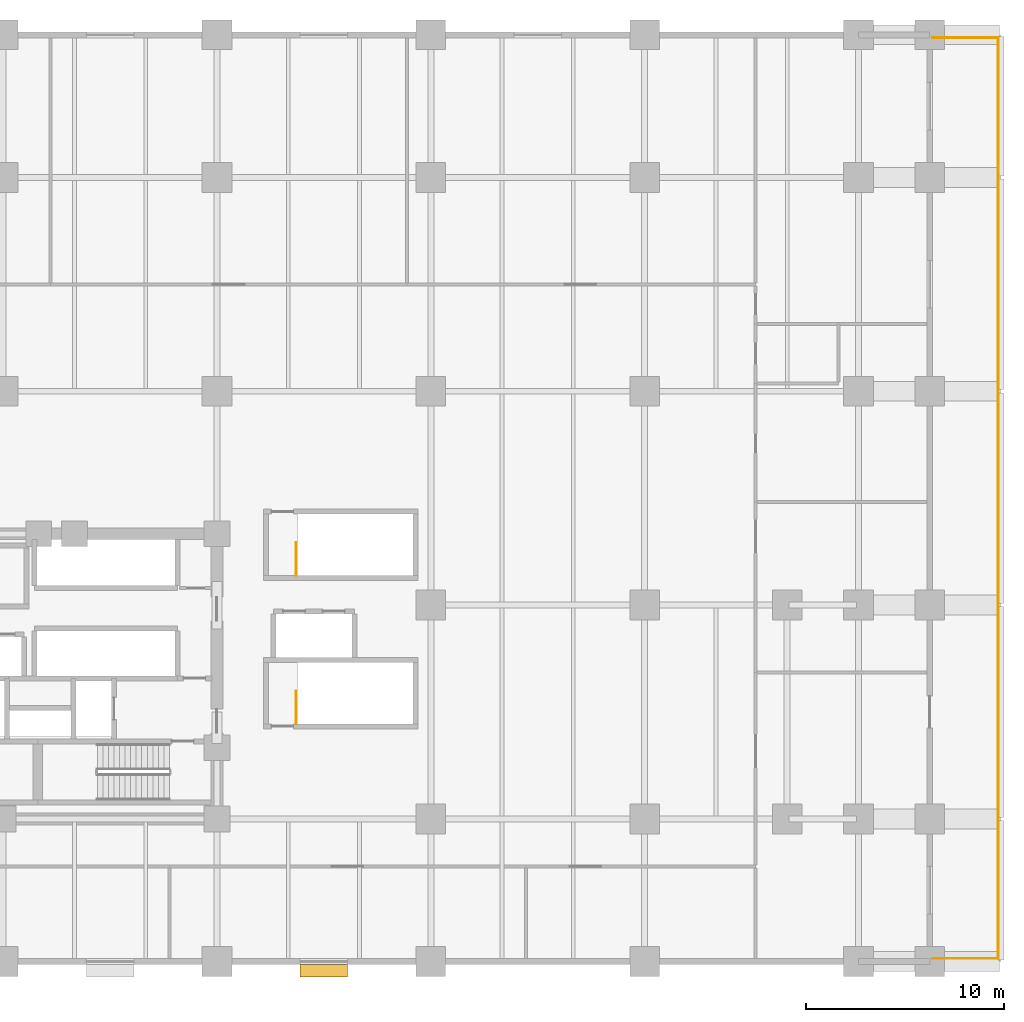
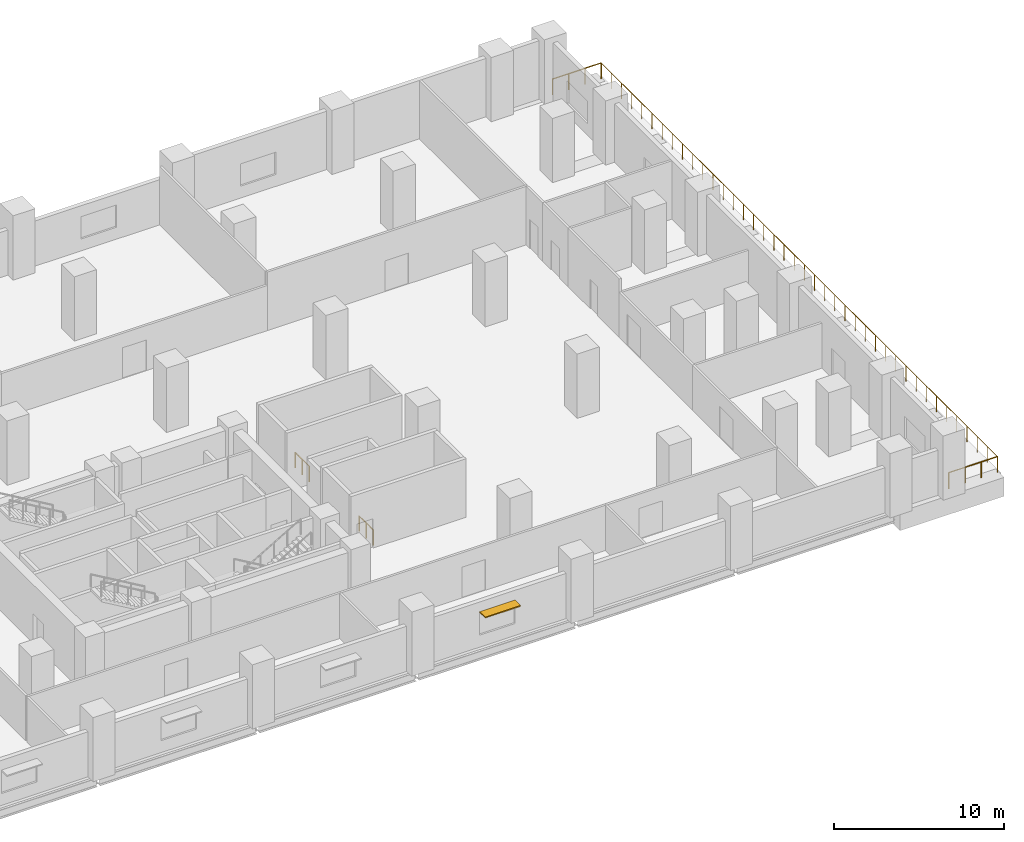
# One storey, part 8 of 8: 5 railings, 1 shading device.
"""IFC4 building model written with IfcOpenShell, lengths in metres."""

from ifc_helpers import new_model, si_unit, direction, frame, origin, origin_2d, place, context, subcontext, project, spatial, rectangle, circle, extrude, material, layer, layer_set, type_object, element, save


model = new_model("IFC4")

# Units and contexts
model_context = context("Model", 3, precision=1e-05, world=origin(), true_north=direction((0.0, 1.0)))
body_context = subcontext(model_context, "Body", "Model", "MODEL_VIEW")
ifc_project = project(units=[si_unit("LENGTHUNIT", "METRE"), si_unit("AREAUNIT", "SQUARE_METRE"), si_unit("VOLUMEUNIT", "CUBIC_METRE"), si_unit("PLANEANGLEUNIT", "RADIAN"), si_unit("MASSUNIT", "GRAM", prefix="KILO")], contexts=[model_context])

# Site, building, storey
site_placement = place(None, origin())
site = spatial("IfcSite", under=ifc_project, at=site_placement, CompositionType="ELEMENT")
building_placement = place(site_placement, origin())
building = spatial("IfcBuilding", under=site, at=building_placement, Name="Solnavia Interchange Tower", CompositionType="ELEMENT")
storey_placement = place(building_placement, frame((0.0, 0.0, 19.39990234375)))
storey = spatial("IfcBuildingStorey", under=building, at=storey_placement, Name="L04", CompositionType="ELEMENT", Elevation=19.39990234375)

# Railings
ifc_material_1 = material(Name="Painted Steel Balustrade", Category="steel")
railing_type_1 = type_object("IfcRailingType", Name="Railing-StairGuard-1100", PredefinedType="GUARDRAIL", material=ifc_material_1)
for number, where, name in (
    (1, (36.39990234375, 15.60009765625, 0.0), "L04 ST-P1 top well guard 1"),
    (2, (36.39990234375, 23.10009765625, 0.0), "L04 ST-P2 top well guard 1"),
):
    element("IfcRailing", number, at=place(storey_placement, frame(where)), inside=storey, type_object=railing_type_1, Name=name, PredefinedType="GUARDRAIL", context=body_context, shape_type="SweptSolid", body=[
        extrude(circle(Radius=0.02392578125, at=origin_2d()), frame((0.0, 0.0, 1.09619140625), z_axis=(0.0, 1.0, 0.0), x_axis=(-1.0, 0.0, 0.0)), (0.0, 0.0, 1.0), 1.64990234375),
        extrude(circle(Radius=0.02099609375, at=origin_2d()), origin(), (0.0, 0.0, 1.0), 1.072021484375),
        extrude(circle(Radius=0.02099609375, at=origin_2d()), frame((0.0, 0.824951171875, 0.0)), (0.0, 0.0, 1.0), 1.072021484375),
        extrude(circle(Radius=0.02099609375, at=origin_2d()), frame((0.0, 1.64990234375, 0.0)), (0.0, 0.0, 1.0), 1.072021484375),
    ])
ifc_material_2 = material(Name="Laminated Safety Glass & Stainless Steel", Category="steel")
railing_type_2 = type_object("IfcRailingType", Name="Railing-TerraceGuard-1150", PredefinedType="GUARDRAIL", material=ifc_material_2)
railing_1_placement = place(storey_placement, frame((68.550048828125, 3.75, 0.0)))
element("IfcRailing", 3, at=railing_1_placement, inside=storey, type_object=railing_type_2, Name="GRD-L04-TER-01 Perimeter terrace guardrail", PredefinedType="GUARDRAIL", context=body_context, shape_type="SweptSolid", body=[
    extrude(circle(Radius=0.02392578125, at=origin_2d()), frame((0.0, 0.0, 1.1259765625), z_axis=(1.0, 0.0, 0.0), x_axis=(0.0, 1.0, 0.0)), (0.0, 0.0, 1.0), 3.300048828125),
    extrude(circle(Radius=0.02099609375, at=origin_2d()), origin(), (0.0, 0.0, 1.0), 1.101806640625),
    extrude(circle(Radius=0.02099609375, at=origin_2d()), frame((1.10009765625, 0.0, 0.0)), (0.0, 0.0, 1.0), 1.101806640625),
    extrude(circle(Radius=0.02099609375, at=origin_2d()), frame((2.199951171875, 0.0, 0.0)), (0.0, 0.0, 1.0), 1.101806640625),
    extrude(circle(Radius=0.02099609375, at=origin_2d()), frame((3.300048828125, 0.0, 0.0)), (0.0, 0.0, 1.0), 1.101806640625),
])
railing_2_placement = place(storey_placement, frame((71.85009765625, 3.75, 0.0)))
element("IfcRailing", 4, at=railing_2_placement, inside=storey, type_object=railing_type_2, Name="GRD-L04-TER-02 Perimeter terrace guardrail", PredefinedType="GUARDRAIL", context=body_context, shape_type="SweptSolid", body=[
    extrude(circle(Radius=0.02392578125, at=origin_2d()), frame((0.0, 0.0, 1.1259765625), z_axis=(0.0, 1.0, 0.0), x_axis=(-1.0, 0.0, 0.0)), (0.0, 0.0, 1.0), 46.5),
    extrude(circle(Radius=0.02099609375, at=origin_2d()), origin(), (0.0, 0.0, 1.0), 1.101806640625),
    extrude(circle(Radius=0.02099609375, at=origin_2d()), frame((0.0, 1.1923828125, 0.0)), (0.0, 0.0, 1.0), 1.101806640625),
    extrude(circle(Radius=0.02099609375, at=origin_2d()), frame((0.0, 2.384521484375, 0.0)), (0.0, 0.0, 1.0), 1.101806640625),
    extrude(circle(Radius=0.02099609375, at=origin_2d()), frame((0.0, 3.576904296875, 0.0)), (0.0, 0.0, 1.0), 1.101806640625),
    extrude(circle(Radius=0.02099609375, at=origin_2d()), frame((0.0, 4.769287109375, 0.0)), (0.0, 0.0, 1.0), 1.101806640625),
    extrude(circle(Radius=0.02099609375, at=origin_2d()), frame((0.0, 5.96142578125, 0.0)), (0.0, 0.0, 1.0), 1.101806640625),
    extrude(circle(Radius=0.02099609375, at=origin_2d()), frame((0.0, 7.15380859375, 0.0)), (0.0, 0.0, 1.0), 1.101806640625),
    extrude(circle(Radius=0.02099609375, at=origin_2d()), frame((0.0, 8.34619140625, 0.0)), (0.0, 0.0, 1.0), 1.101806640625),
    extrude(circle(Radius=0.02099609375, at=origin_2d()), frame((0.0, 9.53857421875, 0.0)), (0.0, 0.0, 1.0), 1.101806640625),
    extrude(circle(Radius=0.02099609375, at=origin_2d()), frame((0.0, 10.730712890625, 0.0)), (0.0, 0.0, 1.0), 1.101806640625),
    extrude(circle(Radius=0.02099609375, at=origin_2d()), frame((0.0, 11.923095703125, 0.0)), (0.0, 0.0, 1.0), 1.101806640625),
    extrude(circle(Radius=0.02099609375, at=origin_2d()), frame((0.0, 13.115478515625, 0.0)), (0.0, 0.0, 1.0), 1.101806640625),
    extrude(circle(Radius=0.02099609375, at=origin_2d()), frame((0.0, 14.3076171875, 0.0)), (0.0, 0.0, 1.0), 1.101806640625),
    extrude(circle(Radius=0.02099609375, at=origin_2d()), frame((0.0, 15.5, 0.0)), (0.0, 0.0, 1.0), 1.101806640625),
    extrude(circle(Radius=0.02099609375, at=origin_2d()), frame((0.0, 16.6923828125, 0.0)), (0.0, 0.0, 1.0), 1.101806640625),
    extrude(circle(Radius=0.02099609375, at=origin_2d()), frame((0.0, 17.884521484375, 0.0)), (0.0, 0.0, 1.0), 1.101806640625),
    extrude(circle(Radius=0.02099609375, at=origin_2d()), frame((0.0, 19.076904296875, 0.0)), (0.0, 0.0, 1.0), 1.101806640625),
    extrude(circle(Radius=0.02099609375, at=origin_2d()), frame((0.0, 20.269287109375, 0.0)), (0.0, 0.0, 1.0), 1.101806640625),
    extrude(circle(Radius=0.02099609375, at=origin_2d()), frame((0.0, 21.46142578125, 0.0)), (0.0, 0.0, 1.0), 1.101806640625),
    extrude(circle(Radius=0.02099609375, at=origin_2d()), frame((0.0, 22.65380859375, 0.0)), (0.0, 0.0, 1.0), 1.101806640625),
    extrude(circle(Radius=0.02099609375, at=origin_2d()), frame((0.0, 23.84619140625, 0.0)), (0.0, 0.0, 1.0), 1.101806640625),
    extrude(circle(Radius=0.02099609375, at=origin_2d()), frame((0.0, 25.03857421875, 0.0)), (0.0, 0.0, 1.0), 1.101806640625),
    extrude(circle(Radius=0.02099609375, at=origin_2d()), frame((0.0, 26.230712890625, 0.0)), (0.0, 0.0, 1.0), 1.101806640625),
    extrude(circle(Radius=0.02099609375, at=origin_2d()), frame((0.0, 27.423095703125, 0.0)), (0.0, 0.0, 1.0), 1.101806640625),
    extrude(circle(Radius=0.02099609375, at=origin_2d()), frame((0.0, 28.615478515625, 0.0)), (0.0, 0.0, 1.0), 1.101806640625),
    extrude(circle(Radius=0.02099609375, at=origin_2d()), frame((0.0, 29.8076171875, 0.0)), (0.0, 0.0, 1.0), 1.101806640625),
    extrude(circle(Radius=0.02099609375, at=origin_2d()), frame((0.0, 31.0, 0.0)), (0.0, 0.0, 1.0), 1.101806640625),
    extrude(circle(Radius=0.02099609375, at=origin_2d()), frame((0.0, 32.1923828125, 0.0)), (0.0, 0.0, 1.0), 1.101806640625),
    extrude(circle(Radius=0.02099609375, at=origin_2d()), frame((0.0, 33.384521484375, 0.0)), (0.0, 0.0, 1.0), 1.101806640625),
    extrude(circle(Radius=0.02099609375, at=origin_2d()), frame((0.0, 34.576904296875, 0.0)), (0.0, 0.0, 1.0), 1.101806640625),
    extrude(circle(Radius=0.02099609375, at=origin_2d()), frame((0.0, 35.769287109375, 0.0)), (0.0, 0.0, 1.0), 1.101806640625),
    extrude(circle(Radius=0.02099609375, at=origin_2d()), frame((0.0, 36.96142578125, 0.0)), (0.0, 0.0, 1.0), 1.101806640625),
    extrude(circle(Radius=0.02099609375, at=origin_2d()), frame((0.0, 38.15380859375, 0.0)), (0.0, 0.0, 1.0), 1.101806640625),
    extrude(circle(Radius=0.02099609375, at=origin_2d()), frame((0.0, 39.34619140625, 0.0)), (0.0, 0.0, 1.0), 1.101806640625),
    extrude(circle(Radius=0.02099609375, at=origin_2d()), frame((0.0, 40.53857421875, 0.0)), (0.0, 0.0, 1.0), 1.101806640625),
    extrude(circle(Radius=0.02099609375, at=origin_2d()), frame((0.0, 41.730712890625, 0.0)), (0.0, 0.0, 1.0), 1.101806640625),
    extrude(circle(Radius=0.02099609375, at=origin_2d()), frame((0.0, 42.923095703125, 0.0)), (0.0, 0.0, 1.0), 1.101806640625),
    extrude(circle(Radius=0.02099609375, at=origin_2d()), frame((0.0, 44.115478515625, 0.0)), (0.0, 0.0, 1.0), 1.101806640625),
    extrude(circle(Radius=0.02099609375, at=origin_2d()), frame((0.0, 45.3076171875, 0.0)), (0.0, 0.0, 1.0), 1.101806640625),
    extrude(circle(Radius=0.02099609375, at=origin_2d()), frame((0.0, 46.5, 0.0)), (0.0, 0.0, 1.0), 1.101806640625),
])
railing_3_placement = place(storey_placement, frame((71.85009765625, 50.25, 0.0)))
element("IfcRailing", 5, at=railing_3_placement, inside=storey, type_object=railing_type_2, Name="GRD-L04-TER-03 Perimeter terrace guardrail", PredefinedType="GUARDRAIL", context=body_context, shape_type="SweptSolid", body=[
    extrude(circle(Radius=0.02392578125, at=origin_2d()), frame((0.0, 0.0, 1.1259765625), z_axis=(-1.0, 0.0, 0.0), x_axis=(0.0, -1.0, 0.0)), (0.0, 0.0, 1.0), 3.300048828125),
    extrude(circle(Radius=0.02099609375, at=origin_2d()), origin(), (0.0, 0.0, 1.0), 1.101806640625),
    extrude(circle(Radius=0.02099609375, at=origin_2d()), frame((-1.10009765625, 0.0, 0.0)), (0.0, 0.0, 1.0), 1.101806640625),
    extrude(circle(Radius=0.02099609375, at=origin_2d()), frame((-2.199951171875, 0.0, 0.0)), (0.0, 0.0, 1.0), 1.101806640625),
    extrude(circle(Radius=0.02099609375, at=origin_2d()), frame((-3.300048828125, 0.0, 0.0)), (0.0, 0.0, 1.0), 1.101806640625),
])

# Shading device
ifc_material_3 = material(Name="Anodised Aluminium Sunshade", Category="aluminium")
ifc_layer = layer(ifc_material_3, 0.080078125)
ifc_layer_set = layer_set([ifc_layer], Name="Anodised Aluminium Sunshade")
shading_device_type = type_object("IfcShadingDeviceType", Name="Sunshade-Band-650", PredefinedType="SHUTTER", material=ifc_layer_set)
shading_device_placement = place(storey_placement, frame((37.800048828125, 3.1298828125, 2.4599609375), z_axis=(0.0, 0.0, 1.0), x_axis=(1.0, 0.0, 0.0)))
element("IfcShadingDevice", 6, at=shading_device_placement, inside=storey, type_object=shading_device_type, Name="SHD-L04-S04 South horizontal sunshade band", PredefinedType="SHUTTER", context=body_context, shape_type="SweptSolid", body=[
    extrude(rectangle(XDim=2.39990234375, YDim=0.64990234375, at=origin_2d()), origin(), (0.0, 0.0, 1.0), 0.080078125),
])

save(model, "model.ifc")
